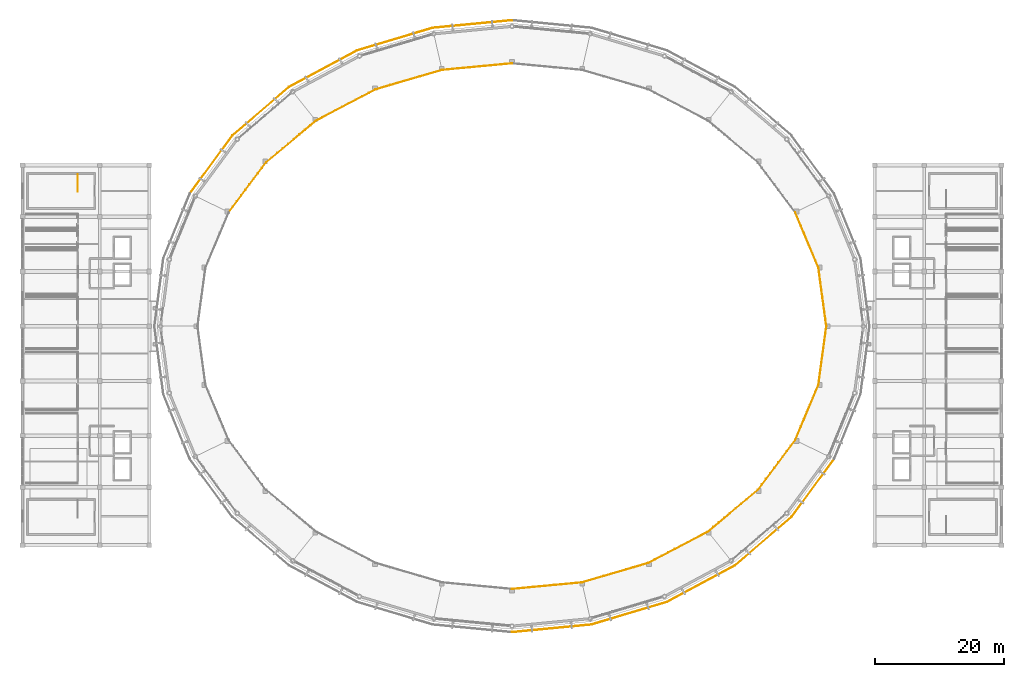
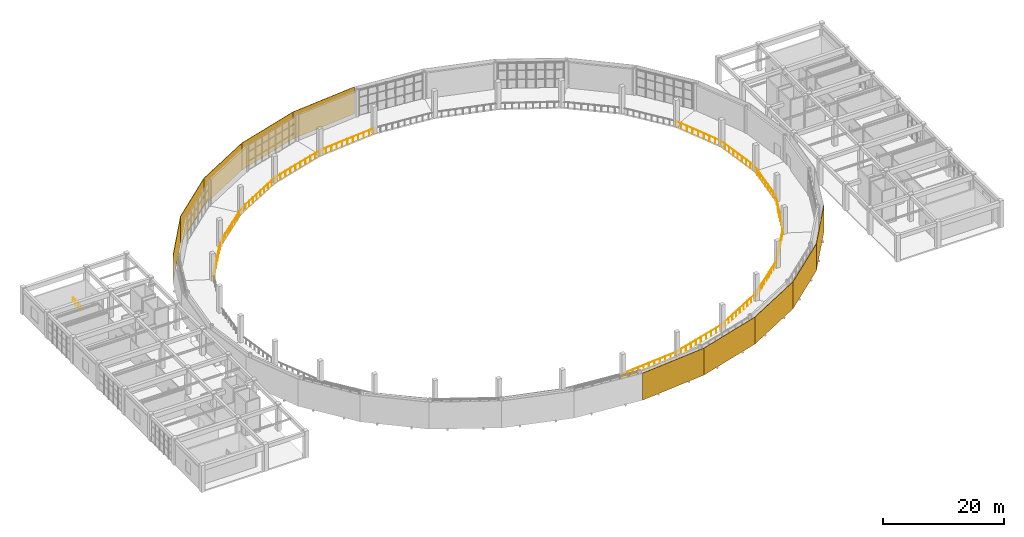
# One storey, part 39 of 40: 15 railings, 10 coverings.
"""IFC4 building model written with IfcOpenShell, lengths in metres."""

from ifc_helpers import new_model, si_unit, direction, frame, frame_2d, origin, origin_2d, place, context, subcontext, project, spatial, rectangle, circle, extrude, material, layer, layer_set, type_object, element, save


model = new_model("IFC4")

# Units and contexts
model_context = context("Model", 3, precision=1e-05, world=origin(), true_north=direction((0.0, 1.0)))
body_context = subcontext(model_context, "Body", "Model", "MODEL_VIEW")
ifc_project = project(units=[si_unit("LENGTHUNIT", "METRE"), si_unit("AREAUNIT", "SQUARE_METRE"), si_unit("VOLUMEUNIT", "CUBIC_METRE"), si_unit("PLANEANGLEUNIT", "RADIAN"), si_unit("MASSUNIT", "GRAM", prefix="KILO")], contexts=[model_context])

# Site, building, storey
site_placement = place(None, origin())
site = spatial("IfcSite", under=ifc_project, at=site_placement, CompositionType="ELEMENT")
building_placement = place(site_placement, origin())
building = spatial("IfcBuilding", under=site, at=building_placement, Name="Cuetzalor Civic Arena", CompositionType="ELEMENT")
storey_placement = place(building_placement, frame((0.0, 0.0, 26.39990234375)))
storey = spatial("IfcBuildingStorey", under=building, at=storey_placement, Name="L05", CompositionType="ELEMENT", Elevation=26.39990234375)

# Railings
ifc_material_1 = material(Name="Reseda-green Steel S355 and laminated glass guard", Category="steel")
railing_type_1 = type_object("IfcRailingType", Name="BowlSightlineGuard_1100", PredefinedType="BALUSTRADE", material=ifc_material_1)
railing_1_placement = place(storey_placement, frame((48.800048828125, 0.0, 0.0)))
element("IfcRailing", 1, at=railing_1_placement, inside=storey, type_object=railing_type_1, Name="Commentary Catwalk Rim Balustrade S01", PredefinedType="BALUSTRADE", context=body_context, shape_type="SweptSolid", body=[
    extrude(circle(Radius=0.02392578125, at=origin_2d()), frame((0.0, 0.0, 1.076171875), z_axis=(-0.133570575466, 0.991039303645, 0.0), x_axis=(-0.991039303645, -0.133570575466, 0.0)), (0.0, 0.0, 1.0), 9.160888671875),
    extrude(circle(Radius=0.02099609375, at=origin_2d()), origin(), (0.0, 0.0, 1.0), 1.052001953125),
    extrude(circle(Radius=0.02099609375, at=origin_2d()), frame((-0.15283203125, 1.134765625, 0.0)), (0.0, 0.0, 1.0), 1.052001953125),
    extrude(circle(Radius=0.02099609375, at=origin_2d()), frame((-0.305908203125, 2.269775390625, 0.0)), (0.0, 0.0, 1.0), 1.052001953125),
    extrude(circle(Radius=0.02099609375, at=origin_2d()), frame((-0.458984375, 3.404541015625, 0.0)), (0.0, 0.0, 1.0), 1.052001953125),
    extrude(circle(Radius=0.02099609375, at=origin_2d()), frame((-0.61181640625, 4.53955078125, 0.0)), (0.0, 0.0, 1.0), 1.052001953125),
    extrude(circle(Radius=0.02099609375, at=origin_2d()), frame((-0.7646484375, 5.67431640625, 0.0)), (0.0, 0.0, 1.0), 1.052001953125),
    extrude(circle(Radius=0.02099609375, at=origin_2d()), frame((-0.917724609375, 6.80908203125, 0.0)), (0.0, 0.0, 1.0), 1.052001953125),
    extrude(circle(Radius=0.02099609375, at=origin_2d()), frame((-1.07080078125, 7.944091796875, 0.0)), (0.0, 0.0, 1.0), 1.052001953125),
    extrude(circle(Radius=0.02099609375, at=origin_2d()), frame((-1.2236328125, 9.078857421875, 0.0)), (0.0, 0.0, 1.0), 1.052001953125),
])
railing_2_placement = place(storey_placement, frame((47.576416015625, 9.078857421875, 0.0)))
element("IfcRailing", 2, at=railing_2_placement, inside=storey, type_object=railing_type_1, Name="Commentary Catwalk Rim Balustrade S02", PredefinedType="BALUSTRADE", context=body_context, shape_type="SweptSolid", body=[
    extrude(circle(Radius=0.02392578125, at=origin_2d()), frame((0.0, 0.0, 1.076171875), z_axis=(-0.386072454688, 0.92246846002, 0.0), x_axis=(-0.92246846002, -0.386072454688, 0.0)), (0.0, 0.0, 1.0), 9.348388671875),
    extrude(circle(Radius=0.02099609375, at=origin_2d()), origin(), (0.0, 0.0, 1.0), 1.052001953125),
    extrude(circle(Radius=0.02099609375, at=origin_2d()), frame((-0.451171875, 1.077880859375, 0.0)), (0.0, 0.0, 1.0), 1.052001953125),
    extrude(circle(Radius=0.02099609375, at=origin_2d()), frame((-0.90234375, 2.15576171875, 0.0)), (0.0, 0.0, 1.0), 1.052001953125),
    extrude(circle(Radius=0.02099609375, at=origin_2d()), frame((-1.353515625, 3.23388671875, 0.0)), (0.0, 0.0, 1.0), 1.052001953125),
    extrude(circle(Radius=0.02099609375, at=origin_2d()), frame((-1.8046875, 4.311767578125, 0.0)), (0.0, 0.0, 1.0), 1.052001953125),
    extrude(circle(Radius=0.02099609375, at=origin_2d()), frame((-2.255615234375, 5.3896484375, 0.0)), (0.0, 0.0, 1.0), 1.052001953125),
    extrude(circle(Radius=0.02099609375, at=origin_2d()), frame((-2.706787109375, 6.4677734375, 0.0)), (0.0, 0.0, 1.0), 1.052001953125),
    extrude(circle(Radius=0.02099609375, at=origin_2d()), frame((-3.157958984375, 7.545654296875, 0.0)), (0.0, 0.0, 1.0), 1.052001953125),
    extrude(circle(Radius=0.02099609375, at=origin_2d()), frame((-3.609130859375, 8.62353515625, 0.0)), (0.0, 0.0, 1.0), 1.052001953125),
])
railing_3_placement = place(storey_placement, frame((0.0, 40.800048828125, 0.0)))
element("IfcRailing", 3, at=railing_3_placement, inside=storey, type_object=railing_type_1, Name="Commentary Catwalk Rim Balustrade S08", PredefinedType="BALUSTRADE", context=body_context, shape_type="SweptSolid", body=[
    extrude(circle(Radius=0.02392578125, at=origin_2d()), frame((0.0, 0.0, 1.076171875), z_axis=(-0.995592131062, -0.093788637734, 0.0), x_axis=(0.093788637734, -0.995592131062, 0.0)), (0.0, 0.0, 1.0), 10.906982421875),
    extrude(circle(Radius=0.02099609375, at=origin_2d()), origin(), (0.0, 0.0, 1.0), 1.052001953125),
    extrude(circle(Radius=0.02099609375, at=origin_2d()), frame((-1.0859375, -0.102294921875, 0.0)), (0.0, 0.0, 1.0), 1.052001953125),
    extrude(circle(Radius=0.02099609375, at=origin_2d()), frame((-2.171875, -0.20458984375, 0.0)), (0.0, 0.0, 1.0), 1.052001953125),
    extrude(circle(Radius=0.02099609375, at=origin_2d()), frame((-3.257568359375, -0.306884765625, 0.0)), (0.0, 0.0, 1.0), 1.052001953125),
    extrude(circle(Radius=0.02099609375, at=origin_2d()), frame((-4.343505859375, -0.4091796875, 0.0)), (0.0, 0.0, 1.0), 1.052001953125),
    extrude(circle(Radius=0.02099609375, at=origin_2d()), frame((-5.429443359375, -0.511474609375, 0.0)), (0.0, 0.0, 1.0), 1.052001953125),
    extrude(circle(Radius=0.02099609375, at=origin_2d()), frame((-6.515380859375, -0.61376953125, 0.0)), (0.0, 0.0, 1.0), 1.052001953125),
    extrude(circle(Radius=0.02099609375, at=origin_2d()), frame((-7.601318359375, -0.716064453125, 0.0)), (0.0, 0.0, 1.0), 1.052001953125),
    extrude(circle(Radius=0.02099609375, at=origin_2d()), frame((-8.68701171875, -0.818359375, 0.0)), (0.0, 0.0, 1.0), 1.052001953125),
    extrude(circle(Radius=0.02099609375, at=origin_2d()), frame((-9.77294921875, -0.920654296875, 0.0)), (0.0, 0.0, 1.0), 1.052001953125),
    extrude(circle(Radius=0.02099609375, at=origin_2d()), frame((-10.85888671875, -1.02294921875, 0.0)), (0.0, 0.0, 1.0), 1.052001953125),
])
railing_4_placement = place(storey_placement, frame((-10.85888671875, 39.777099609375, 0.0)))
element("IfcRailing", 4, at=railing_4_placement, inside=storey, type_object=railing_type_1, Name="Commentary Catwalk Rim Balustrade S09", PredefinedType="BALUSTRADE", context=body_context, shape_type="SweptSolid", body=[
    extrude(circle(Radius=0.02392578125, at=origin_2d()), frame((0.0, 0.0, 1.076171875), z_axis=(-0.959771456816, -0.280782390263, 0.0), x_axis=(0.280782390263, -0.959771456816, 0.0)), (0.0, 0.0, 1.0), 10.7470703125),
    extrude(circle(Radius=0.02099609375, at=origin_2d()), origin(), (0.0, 0.0, 1.0), 1.052001953125),
    extrude(circle(Radius=0.02099609375, at=origin_2d()), frame((-1.14599609375, -0.335205078125, 0.0)), (0.0, 0.0, 1.0), 1.052001953125),
    extrude(circle(Radius=0.02099609375, at=origin_2d()), frame((-2.292236328125, -0.670654296875, 0.0)), (0.0, 0.0, 1.0), 1.052001953125),
    extrude(circle(Radius=0.02099609375, at=origin_2d()), frame((-3.438232421875, -1.005859375, 0.0)), (0.0, 0.0, 1.0), 1.052001953125),
    extrude(circle(Radius=0.02099609375, at=origin_2d()), frame((-4.584228515625, -1.341064453125, 0.0)), (0.0, 0.0, 1.0), 1.052001953125),
    extrude(circle(Radius=0.02099609375, at=origin_2d()), frame((-5.73046875, -1.676513671875, 0.0)), (0.0, 0.0, 1.0), 1.052001953125),
    extrude(circle(Radius=0.02099609375, at=origin_2d()), frame((-6.87646484375, -2.01171875, 0.0)), (0.0, 0.0, 1.0), 1.052001953125),
    extrude(circle(Radius=0.02099609375, at=origin_2d()), frame((-8.0224609375, -2.346923828125, 0.0)), (0.0, 0.0, 1.0), 1.052001953125),
    extrude(circle(Radius=0.02099609375, at=origin_2d()), frame((-9.168701171875, -2.682373046875, 0.0)), (0.0, 0.0, 1.0), 1.052001953125),
    extrude(circle(Radius=0.02099609375, at=origin_2d()), frame((-10.314697265625, -3.017578125, 0.0)), (0.0, 0.0, 1.0), 1.052001953125),
])
railing_5_placement = place(storey_placement, frame((-21.173583984375, 36.759521484375, 0.0)))
element("IfcRailing", 5, at=railing_5_placement, inside=storey, type_object=railing_type_1, Name="Commentary Catwalk Rim Balustrade S10", PredefinedType="BALUSTRADE", context=body_context, shape_type="SweptSolid", body=[
    extrude(circle(Radius=0.02392578125, at=origin_2d()), frame((0.0, 0.0, 1.076171875), z_axis=(-0.885272653708, -0.465072390705, 0.0), x_axis=(0.465072390705, -0.885272653708, 0.0)), (0.0, 0.0, 1.0), 10.451904296875),
    extrude(circle(Radius=0.02099609375, at=origin_2d()), origin(), (0.0, 0.0, 1.0), 1.052001953125),
    extrude(circle(Radius=0.02099609375, at=origin_2d()), frame((-1.028076171875, -0.5400390625, 0.0)), (0.0, 0.0, 1.0), 1.052001953125),
    extrude(circle(Radius=0.02099609375, at=origin_2d()), frame((-2.05615234375, -1.080078125, 0.0)), (0.0, 0.0, 1.0), 1.052001953125),
    extrude(circle(Radius=0.02099609375, at=origin_2d()), frame((-3.084228515625, -1.620361328125, 0.0)), (0.0, 0.0, 1.0), 1.052001953125),
    extrude(circle(Radius=0.02099609375, at=origin_2d()), frame((-4.1123046875, -2.160400390625, 0.0)), (0.0, 0.0, 1.0), 1.052001953125),
    extrude(circle(Radius=0.02099609375, at=origin_2d()), frame((-5.140380859375, -2.700439453125, 0.0)), (0.0, 0.0, 1.0), 1.052001953125),
    extrude(circle(Radius=0.02099609375, at=origin_2d()), frame((-6.16845703125, -3.240478515625, 0.0)), (0.0, 0.0, 1.0), 1.052001953125),
    extrude(circle(Radius=0.02099609375, at=origin_2d()), frame((-7.196533203125, -3.78076171875, 0.0)), (0.0, 0.0, 1.0), 1.052001953125),
    extrude(circle(Radius=0.02099609375, at=origin_2d()), frame((-8.224609375, -4.32080078125, 0.0)), (0.0, 0.0, 1.0), 1.052001953125),
    extrude(circle(Radius=0.02099609375, at=origin_2d()), frame((-9.252685546875, -4.86083984375, 0.0)), (0.0, 0.0, 1.0), 1.052001953125),
])
railing_6_placement = place(storey_placement, frame((-30.42626953125, 31.898681640625, 0.0)))
element("IfcRailing", 6, at=railing_6_placement, inside=storey, type_object=railing_type_1, Name="Commentary Catwalk Rim Balustrade S11", PredefinedType="BALUSTRADE", context=body_context, shape_type="SweptSolid", body=[
    extrude(circle(Radius=0.02392578125, at=origin_2d()), frame((0.0, 0.0, 1.076171875), z_axis=(-0.76719506294, -0.64141385657, 0.0), x_axis=(0.64141385657, -0.76719506294, 0.0)), (0.0, 0.0, 1.0), 10.07177734375),
    extrude(circle(Radius=0.02099609375, at=origin_2d()), origin(), (0.0, 0.0, 1.0), 1.052001953125),
    extrude(circle(Radius=0.02099609375, at=origin_2d()), frame((-0.858642578125, -0.7177734375, 0.0)), (0.0, 0.0, 1.0), 1.052001953125),
    extrude(circle(Radius=0.02099609375, at=origin_2d()), frame((-1.717041015625, -1.435546875, 0.0)), (0.0, 0.0, 1.0), 1.052001953125),
    extrude(circle(Radius=0.02099609375, at=origin_2d()), frame((-2.57568359375, -2.1533203125, 0.0)), (0.0, 0.0, 1.0), 1.052001953125),
    extrude(circle(Radius=0.02099609375, at=origin_2d()), frame((-3.434326171875, -2.87109375, 0.0)), (0.0, 0.0, 1.0), 1.052001953125),
    extrude(circle(Radius=0.02099609375, at=origin_2d()), frame((-4.292724609375, -3.589111328125, 0.0)), (0.0, 0.0, 1.0), 1.052001953125),
    extrude(circle(Radius=0.02099609375, at=origin_2d()), frame((-5.1513671875, -4.306884765625, 0.0)), (0.0, 0.0, 1.0), 1.052001953125),
    extrude(circle(Radius=0.02099609375, at=origin_2d()), frame((-6.010009765625, -5.024658203125, 0.0)), (0.0, 0.0, 1.0), 1.052001953125),
    extrude(circle(Radius=0.02099609375, at=origin_2d()), frame((-6.868408203125, -5.742431640625, 0.0)), (0.0, 0.0, 1.0), 1.052001953125),
    extrude(circle(Radius=0.02099609375, at=origin_2d()), frame((-7.72705078125, -6.460205078125, 0.0)), (0.0, 0.0, 1.0), 1.052001953125),
])
railing_7_placement = place(storey_placement, frame((-38.1533203125, 25.4384765625, 0.0)))
element("IfcRailing", 7, at=railing_7_placement, inside=storey, type_object=railing_type_1, Name="Commentary Catwalk Rim Balustrade S12", PredefinedType="BALUSTRADE", context=body_context, shape_type="SweptSolid", body=[
    extrude(circle(Radius=0.02392578125, at=origin_2d()), frame((0.0, 0.0, 1.076171875), z_axis=(-0.600786832666, -0.799409270458, 0.0), x_axis=(0.799409270458, -0.600786832666, 0.0)), (0.0, 0.0, 1.0), 9.67724609375),
    extrude(circle(Radius=0.02099609375, at=origin_2d()), origin(), (0.0, 0.0, 1.0), 1.052001953125),
    extrude(circle(Radius=0.02099609375, at=origin_2d()), frame((-0.64599609375, -0.859619140625, 0.0)), (0.0, 0.0, 1.0), 1.052001953125),
    extrude(circle(Radius=0.02099609375, at=origin_2d()), frame((-1.2919921875, -1.71923828125, 0.0)), (0.0, 0.0, 1.0), 1.052001953125),
    extrude(circle(Radius=0.02099609375, at=origin_2d()), frame((-1.93798828125, -2.57861328125, 0.0)), (0.0, 0.0, 1.0), 1.052001953125),
    extrude(circle(Radius=0.02099609375, at=origin_2d()), frame((-2.583984375, -3.438232421875, 0.0)), (0.0, 0.0, 1.0), 1.052001953125),
    extrude(circle(Radius=0.02099609375, at=origin_2d()), frame((-3.22998046875, -4.2978515625, 0.0)), (0.0, 0.0, 1.0), 1.052001953125),
    extrude(circle(Radius=0.02099609375, at=origin_2d()), frame((-3.8759765625, -5.157470703125, 0.0)), (0.0, 0.0, 1.0), 1.052001953125),
    extrude(circle(Radius=0.02099609375, at=origin_2d()), frame((-4.52197265625, -6.016845703125, 0.0)), (0.0, 0.0, 1.0), 1.052001953125),
    extrude(circle(Radius=0.02099609375, at=origin_2d()), frame((-5.16796875, -6.87646484375, 0.0)), (0.0, 0.0, 1.0), 1.052001953125),
    extrude(circle(Radius=0.02099609375, at=origin_2d()), frame((-5.81396484375, -7.736083984375, 0.0)), (0.0, 0.0, 1.0), 1.052001953125),
])
railing_8_placement = place(storey_placement, frame((0.0, -40.800048828125, 0.0)))
element("IfcRailing", 8, at=railing_8_placement, inside=storey, type_object=railing_type_1, Name="Commentary Catwalk Rim Balustrade S22", PredefinedType="BALUSTRADE", context=body_context, shape_type="SweptSolid", body=[
    extrude(circle(Radius=0.02392578125, at=origin_2d()), frame((0.0, 0.0, 1.076171875), z_axis=(0.995592131062, 0.093788637734, 0.0), x_axis=(-0.093788637734, 0.995592131062, 0.0)), (0.0, 0.0, 1.0), 10.906982421875),
    extrude(circle(Radius=0.02099609375, at=origin_2d()), origin(), (0.0, 0.0, 1.0), 1.052001953125),
    extrude(circle(Radius=0.02099609375, at=origin_2d()), frame((1.0859375, 0.102294921875, 0.0)), (0.0, 0.0, 1.0), 1.052001953125),
    extrude(circle(Radius=0.02099609375, at=origin_2d()), frame((2.171875, 0.20458984375, 0.0)), (0.0, 0.0, 1.0), 1.052001953125),
    extrude(circle(Radius=0.02099609375, at=origin_2d()), frame((3.257568359375, 0.306884765625, 0.0)), (0.0, 0.0, 1.0), 1.052001953125),
    extrude(circle(Radius=0.02099609375, at=origin_2d()), frame((4.343505859375, 0.4091796875, 0.0)), (0.0, 0.0, 1.0), 1.052001953125),
    extrude(circle(Radius=0.02099609375, at=origin_2d()), frame((5.429443359375, 0.511474609375, 0.0)), (0.0, 0.0, 1.0), 1.052001953125),
    extrude(circle(Radius=0.02099609375, at=origin_2d()), frame((6.515380859375, 0.61376953125, 0.0)), (0.0, 0.0, 1.0), 1.052001953125),
    extrude(circle(Radius=0.02099609375, at=origin_2d()), frame((7.601318359375, 0.716064453125, 0.0)), (0.0, 0.0, 1.0), 1.052001953125),
    extrude(circle(Radius=0.02099609375, at=origin_2d()), frame((8.68701171875, 0.818359375, 0.0)), (0.0, 0.0, 1.0), 1.052001953125),
    extrude(circle(Radius=0.02099609375, at=origin_2d()), frame((9.77294921875, 0.920654296875, 0.0)), (0.0, 0.0, 1.0), 1.052001953125),
    extrude(circle(Radius=0.02099609375, at=origin_2d()), frame((10.85888671875, 1.02294921875, 0.0)), (0.0, 0.0, 1.0), 1.052001953125),
])
railing_9_placement = place(storey_placement, frame((10.85888671875, -39.777099609375, 0.0)))
element("IfcRailing", 9, at=railing_9_placement, inside=storey, type_object=railing_type_1, Name="Commentary Catwalk Rim Balustrade S23", PredefinedType="BALUSTRADE", context=body_context, shape_type="SweptSolid", body=[
    extrude(circle(Radius=0.02392578125, at=origin_2d()), frame((0.0, 0.0, 1.076171875), z_axis=(0.959771456816, 0.280782390263, 0.0), x_axis=(-0.280782390263, 0.959771456816, 0.0)), (0.0, 0.0, 1.0), 10.7470703125),
    extrude(circle(Radius=0.02099609375, at=origin_2d()), origin(), (0.0, 0.0, 1.0), 1.052001953125),
    extrude(circle(Radius=0.02099609375, at=origin_2d()), frame((1.14599609375, 0.335205078125, 0.0)), (0.0, 0.0, 1.0), 1.052001953125),
    extrude(circle(Radius=0.02099609375, at=origin_2d()), frame((2.292236328125, 0.670654296875, 0.0)), (0.0, 0.0, 1.0), 1.052001953125),
    extrude(circle(Radius=0.02099609375, at=origin_2d()), frame((3.438232421875, 1.005859375, 0.0)), (0.0, 0.0, 1.0), 1.052001953125),
    extrude(circle(Radius=0.02099609375, at=origin_2d()), frame((4.584228515625, 1.341064453125, 0.0)), (0.0, 0.0, 1.0), 1.052001953125),
    extrude(circle(Radius=0.02099609375, at=origin_2d()), frame((5.73046875, 1.676513671875, 0.0)), (0.0, 0.0, 1.0), 1.052001953125),
    extrude(circle(Radius=0.02099609375, at=origin_2d()), frame((6.87646484375, 2.01171875, 0.0)), (0.0, 0.0, 1.0), 1.052001953125),
    extrude(circle(Radius=0.02099609375, at=origin_2d()), frame((8.0224609375, 2.346923828125, 0.0)), (0.0, 0.0, 1.0), 1.052001953125),
    extrude(circle(Radius=0.02099609375, at=origin_2d()), frame((9.168701171875, 2.682373046875, 0.0)), (0.0, 0.0, 1.0), 1.052001953125),
    extrude(circle(Radius=0.02099609375, at=origin_2d()), frame((10.314697265625, 3.017578125, 0.0)), (0.0, 0.0, 1.0), 1.052001953125),
])
railing_10_placement = place(storey_placement, frame((21.173583984375, -36.759521484375, 0.0)))
element("IfcRailing", 10, at=railing_10_placement, inside=storey, type_object=railing_type_1, Name="Commentary Catwalk Rim Balustrade S24", PredefinedType="BALUSTRADE", context=body_context, shape_type="SweptSolid", body=[
    extrude(circle(Radius=0.02392578125, at=origin_2d()), frame((0.0, 0.0, 1.076171875), z_axis=(0.885272653708, 0.465072390705, 0.0), x_axis=(-0.465072390705, 0.885272653708, 0.0)), (0.0, 0.0, 1.0), 10.451904296875),
    extrude(circle(Radius=0.02099609375, at=origin_2d()), origin(), (0.0, 0.0, 1.0), 1.052001953125),
    extrude(circle(Radius=0.02099609375, at=origin_2d()), frame((1.028076171875, 0.5400390625, 0.0)), (0.0, 0.0, 1.0), 1.052001953125),
    extrude(circle(Radius=0.02099609375, at=origin_2d()), frame((2.05615234375, 1.080078125, 0.0)), (0.0, 0.0, 1.0), 1.052001953125),
    extrude(circle(Radius=0.02099609375, at=origin_2d()), frame((3.084228515625, 1.620361328125, 0.0)), (0.0, 0.0, 1.0), 1.052001953125),
    extrude(circle(Radius=0.02099609375, at=origin_2d()), frame((4.1123046875, 2.160400390625, 0.0)), (0.0, 0.0, 1.0), 1.052001953125),
    extrude(circle(Radius=0.02099609375, at=origin_2d()), frame((5.140380859375, 2.700439453125, 0.0)), (0.0, 0.0, 1.0), 1.052001953125),
    extrude(circle(Radius=0.02099609375, at=origin_2d()), frame((6.16845703125, 3.240478515625, 0.0)), (0.0, 0.0, 1.0), 1.052001953125),
    extrude(circle(Radius=0.02099609375, at=origin_2d()), frame((7.196533203125, 3.78076171875, 0.0)), (0.0, 0.0, 1.0), 1.052001953125),
    extrude(circle(Radius=0.02099609375, at=origin_2d()), frame((8.224609375, 4.32080078125, 0.0)), (0.0, 0.0, 1.0), 1.052001953125),
    extrude(circle(Radius=0.02099609375, at=origin_2d()), frame((9.252685546875, 4.86083984375, 0.0)), (0.0, 0.0, 1.0), 1.052001953125),
])
railing_11_placement = place(storey_placement, frame((30.42626953125, -31.898681640625, 0.0)))
element("IfcRailing", 11, at=railing_11_placement, inside=storey, type_object=railing_type_1, Name="Commentary Catwalk Rim Balustrade S25", PredefinedType="BALUSTRADE", context=body_context, shape_type="SweptSolid", body=[
    extrude(circle(Radius=0.02392578125, at=origin_2d()), frame((0.0, 0.0, 1.076171875), z_axis=(0.76719506294, 0.64141385657, 0.0), x_axis=(-0.64141385657, 0.76719506294, 0.0)), (0.0, 0.0, 1.0), 10.07177734375),
    extrude(circle(Radius=0.02099609375, at=origin_2d()), origin(), (0.0, 0.0, 1.0), 1.052001953125),
    extrude(circle(Radius=0.02099609375, at=origin_2d()), frame((0.858642578125, 0.7177734375, 0.0)), (0.0, 0.0, 1.0), 1.052001953125),
    extrude(circle(Radius=0.02099609375, at=origin_2d()), frame((1.717041015625, 1.435546875, 0.0)), (0.0, 0.0, 1.0), 1.052001953125),
    extrude(circle(Radius=0.02099609375, at=origin_2d()), frame((2.57568359375, 2.1533203125, 0.0)), (0.0, 0.0, 1.0), 1.052001953125),
    extrude(circle(Radius=0.02099609375, at=origin_2d()), frame((3.434326171875, 2.87109375, 0.0)), (0.0, 0.0, 1.0), 1.052001953125),
    extrude(circle(Radius=0.02099609375, at=origin_2d()), frame((4.292724609375, 3.589111328125, 0.0)), (0.0, 0.0, 1.0), 1.052001953125),
    extrude(circle(Radius=0.02099609375, at=origin_2d()), frame((5.1513671875, 4.306884765625, 0.0)), (0.0, 0.0, 1.0), 1.052001953125),
    extrude(circle(Radius=0.02099609375, at=origin_2d()), frame((6.010009765625, 5.024658203125, 0.0)), (0.0, 0.0, 1.0), 1.052001953125),
    extrude(circle(Radius=0.02099609375, at=origin_2d()), frame((6.868408203125, 5.742431640625, 0.0)), (0.0, 0.0, 1.0), 1.052001953125),
    extrude(circle(Radius=0.02099609375, at=origin_2d()), frame((7.72705078125, 6.460205078125, 0.0)), (0.0, 0.0, 1.0), 1.052001953125),
])
railing_12_placement = place(storey_placement, frame((38.1533203125, -25.4384765625, 0.0)))
element("IfcRailing", 12, at=railing_12_placement, inside=storey, type_object=railing_type_1, Name="Commentary Catwalk Rim Balustrade S26", PredefinedType="BALUSTRADE", context=body_context, shape_type="SweptSolid", body=[
    extrude(circle(Radius=0.02392578125, at=origin_2d()), frame((0.0, 0.0, 1.076171875), z_axis=(0.600786832666, 0.799409270458, 0.0), x_axis=(-0.799409270458, 0.600786832666, 0.0)), (0.0, 0.0, 1.0), 9.67724609375),
    extrude(circle(Radius=0.02099609375, at=origin_2d()), origin(), (0.0, 0.0, 1.0), 1.052001953125),
    extrude(circle(Radius=0.02099609375, at=origin_2d()), frame((0.64599609375, 0.859619140625, 0.0)), (0.0, 0.0, 1.0), 1.052001953125),
    extrude(circle(Radius=0.02099609375, at=origin_2d()), frame((1.2919921875, 1.71923828125, 0.0)), (0.0, 0.0, 1.0), 1.052001953125),
    extrude(circle(Radius=0.02099609375, at=origin_2d()), frame((1.93798828125, 2.57861328125, 0.0)), (0.0, 0.0, 1.0), 1.052001953125),
    extrude(circle(Radius=0.02099609375, at=origin_2d()), frame((2.583984375, 3.438232421875, 0.0)), (0.0, 0.0, 1.0), 1.052001953125),
    extrude(circle(Radius=0.02099609375, at=origin_2d()), frame((3.22998046875, 4.2978515625, 0.0)), (0.0, 0.0, 1.0), 1.052001953125),
    extrude(circle(Radius=0.02099609375, at=origin_2d()), frame((3.8759765625, 5.157470703125, 0.0)), (0.0, 0.0, 1.0), 1.052001953125),
    extrude(circle(Radius=0.02099609375, at=origin_2d()), frame((4.52197265625, 6.016845703125, 0.0)), (0.0, 0.0, 1.0), 1.052001953125),
    extrude(circle(Radius=0.02099609375, at=origin_2d()), frame((5.16796875, 6.87646484375, 0.0)), (0.0, 0.0, 1.0), 1.052001953125),
    extrude(circle(Radius=0.02099609375, at=origin_2d()), frame((5.81396484375, 7.736083984375, 0.0)), (0.0, 0.0, 1.0), 1.052001953125),
])
railing_13_placement = place(storey_placement, frame((43.96728515625, -17.702392578125, 0.0)))
element("IfcRailing", 13, at=railing_13_placement, inside=storey, type_object=railing_type_1, Name="Commentary Catwalk Rim Balustrade S27", PredefinedType="BALUSTRADE", context=body_context, shape_type="SweptSolid", body=[
    extrude(circle(Radius=0.02392578125, at=origin_2d()), frame((0.0, 0.0, 1.076171875), z_axis=(0.386072454688, 0.92246846002, 0.0), x_axis=(-0.92246846002, 0.386072454688, 0.0)), (0.0, 0.0, 1.0), 9.348388671875),
    extrude(circle(Radius=0.02099609375, at=origin_2d()), origin(), (0.0, 0.0, 1.0), 1.052001953125),
    extrude(circle(Radius=0.02099609375, at=origin_2d()), frame((0.451171875, 1.077880859375, 0.0)), (0.0, 0.0, 1.0), 1.052001953125),
    extrude(circle(Radius=0.02099609375, at=origin_2d()), frame((0.90234375, 2.15576171875, 0.0)), (0.0, 0.0, 1.0), 1.052001953125),
    extrude(circle(Radius=0.02099609375, at=origin_2d()), frame((1.353515625, 3.23388671875, 0.0)), (0.0, 0.0, 1.0), 1.052001953125),
    extrude(circle(Radius=0.02099609375, at=origin_2d()), frame((1.8046875, 4.311767578125, 0.0)), (0.0, 0.0, 1.0), 1.052001953125),
    extrude(circle(Radius=0.02099609375, at=origin_2d()), frame((2.255615234375, 5.3896484375, 0.0)), (0.0, 0.0, 1.0), 1.052001953125),
    extrude(circle(Radius=0.02099609375, at=origin_2d()), frame((2.706787109375, 6.4677734375, 0.0)), (0.0, 0.0, 1.0), 1.052001953125),
    extrude(circle(Radius=0.02099609375, at=origin_2d()), frame((3.157958984375, 7.545654296875, 0.0)), (0.0, 0.0, 1.0), 1.052001953125),
    extrude(circle(Radius=0.02099609375, at=origin_2d()), frame((3.609130859375, 8.62353515625, 0.0)), (0.0, 0.0, 1.0), 1.052001953125),
])
railing_14_placement = place(storey_placement, frame((47.576416015625, -9.078857421875, 0.0)))
element("IfcRailing", 14, at=railing_14_placement, inside=storey, type_object=railing_type_1, Name="Commentary Catwalk Rim Balustrade S28", PredefinedType="BALUSTRADE", context=body_context, shape_type="SweptSolid", body=[
    extrude(circle(Radius=0.02392578125, at=origin_2d()), frame((0.0, 0.0, 1.076171875), z_axis=(0.133570575466, 0.991039303645, 0.0), x_axis=(-0.991039303645, 0.133570575466, 0.0)), (0.0, 0.0, 1.0), 9.160888671875),
    extrude(circle(Radius=0.02099609375, at=origin_2d()), origin(), (0.0, 0.0, 1.0), 1.052001953125),
    extrude(circle(Radius=0.02099609375, at=origin_2d()), frame((0.15283203125, 1.134765625, 0.0)), (0.0, 0.0, 1.0), 1.052001953125),
    extrude(circle(Radius=0.02099609375, at=origin_2d()), frame((0.305908203125, 2.269775390625, 0.0)), (0.0, 0.0, 1.0), 1.052001953125),
    extrude(circle(Radius=0.02099609375, at=origin_2d()), frame((0.458984375, 3.404541015625, 0.0)), (0.0, 0.0, 1.0), 1.052001953125),
    extrude(circle(Radius=0.02099609375, at=origin_2d()), frame((0.61181640625, 4.53955078125, 0.0)), (0.0, 0.0, 1.0), 1.052001953125),
    extrude(circle(Radius=0.02099609375, at=origin_2d()), frame((0.7646484375, 5.67431640625, 0.0)), (0.0, 0.0, 1.0), 1.052001953125),
    extrude(circle(Radius=0.02099609375, at=origin_2d()), frame((0.917724609375, 6.80908203125, 0.0)), (0.0, 0.0, 1.0), 1.052001953125),
    extrude(circle(Radius=0.02099609375, at=origin_2d()), frame((1.07080078125, 7.944091796875, 0.0)), (0.0, 0.0, 1.0), 1.052001953125),
    extrude(circle(Radius=0.02099609375, at=origin_2d()), frame((1.2236328125, 9.078857421875, 0.0)), (0.0, 0.0, 1.0), 1.052001953125),
])
ifc_material_2 = material(Name="Reseda-green architectural Steel S355 balustrade", Category="steel")
railing_type_2 = type_object("IfcRailingType", Name="InteriorVoidBalustrade_1100", PredefinedType="BALUSTRADE", material=ifc_material_2)
railing_15_placement = place(storey_placement, frame((-67.39990234375, 23.60009765625, 0.0)))
element("IfcRailing", 15, at=railing_15_placement, inside=storey, type_object=railing_type_2, Name="L05 ST-17 top well guard 1", PredefinedType="BALUSTRADE", context=body_context, shape_type="SweptSolid", body=[
    extrude(circle(Radius=0.02392578125, at=origin_2d()), frame((0.0, 0.0, 1.0810546875), z_axis=(0.0, -1.0, 0.0), x_axis=(1.0, 0.0, 0.0)), (0.0, 0.0, 1.0), 2.7001953125),
    extrude(circle(Radius=0.02099609375, at=origin_2d()), origin(), (0.0, 0.0, 1.0), 1.056884765625),
    extrude(circle(Radius=0.02099609375, at=origin_2d()), frame((0.0, -0.900146484375, 0.0)), (0.0, 0.0, 1.0), 1.056884765625),
    extrude(circle(Radius=0.02099609375, at=origin_2d()), frame((0.0, -1.800048828125, 0.0)), (0.0, 0.0, 1.0), 1.056884765625),
    extrude(circle(Radius=0.02099609375, at=origin_2d()), frame((0.0, -2.7001953125, 0.0)), (0.0, 0.0, 1.0), 1.056884765625),
])

# Coverings
ifc_material_3 = material(Name="Terracotta-red perforated anodised aluminium panel", Category="masonry")
ifc_layer = layer(ifc_material_3, 0.080078125)
ifc_layer_set = layer_set([ifc_layer], Name="Terracotta-red perforated anodised aluminium panel")
covering_type = type_object("IfcCoveringType", Name="TerracottaPerforatedScreenPanel", PredefinedType="CLADDING", material=ifc_layer_set)
covering_1_placement = place(storey_placement, frame((-12.349853515625, 46.30908203125, -0.139892578125), z_axis=(0.0, 0.0, 1.0), x_axis=(0.995382637025, 0.095986488157, 0.0)))
element("IfcCovering", 16, at=covering_1_placement, inside=storey, type_object=covering_type, Name="Terracotta Perforated Drum Screen L05-S08", PredefinedType="CLADDING", context=body_context, shape_type="SweptSolid", body=[
    extrude(rectangle(XDim=12.4072265625, YDim=0.080078125, at=frame_2d((6.20361328125, 0.0))), origin(), (0.0, 0.0, 1.0), 5.419921875),
])
covering_2_placement = place(storey_placement, frame((-24.08056640625, 42.7958984375, -0.139892578125), z_axis=(0.0, 0.0, 1.0), x_axis=(0.957961714935, 0.286896066056, 0.0)))
element("IfcCovering", 17, at=covering_2_placement, inside=storey, type_object=covering_type, Name="Terracotta Perforated Drum Screen L05-S09", PredefinedType="CLADDING", context=body_context, shape_type="SweptSolid", body=[
    extrude(rectangle(XDim=12.24560546875, YDim=0.080078125, at=frame_2d((6.122802734375, 0.0))), origin(), (0.0, 0.0, 1.0), 5.419921875),
])
covering_3_placement = place(storey_placement, frame((-34.603759765625, 37.136962890625, -0.139892578125), z_axis=(0.0, 0.0, 1.0), x_axis=(0.880729476331, 0.473619667584, 0.0)))
element("IfcCovering", 18, at=covering_3_placement, inside=storey, type_object=covering_type, Name="Terracotta Perforated Drum Screen L05-S10", PredefinedType="CLADDING", context=body_context, shape_type="SweptSolid", body=[
    extrude(rectangle(XDim=11.9482421875, YDim=0.080078125, at=frame_2d((5.97412109375, 0.0))), origin(), (0.0, 0.0, 1.0), 5.419921875),
])
covering_4_placement = place(storey_placement, frame((-43.3916015625, 29.61572265625, -0.139892578125), z_axis=(0.0, 0.0, 1.0), x_axis=(0.759734649699, 0.650233236652, 0.0)))
element("IfcCovering", 19, at=covering_4_placement, inside=storey, type_object=covering_type, Name="Terracotta Perforated Drum Screen L05-S11", PredefinedType="CLADDING", context=body_context, shape_type="SweptSolid", body=[
    extrude(rectangle(XDim=11.56689453125, YDim=0.080078125, at=frame_2d((5.783447265625, 0.0))), origin(), (0.0, 0.0, 1.0), 5.419921875),
])
covering_5_placement = place(storey_placement, frame((-50.00390625, 20.609619140625, -0.139892578125), z_axis=(0.0, 0.0, 1.0), x_axis=(0.591819224601, 0.806070719846, 0.0)))
element("IfcCovering", 20, at=covering_5_placement, inside=storey, type_object=covering_type, Name="Terracotta Perforated Drum Screen L05-S12", PredefinedType="CLADDING", context=body_context, shape_type="SweptSolid", body=[
    extrude(rectangle(XDim=11.1728515625, YDim=0.080078125, at=frame_2d((5.58642578125, 0.0))), origin(), (0.0, 0.0, 1.0), 5.419921875),
])
covering_6_placement = place(storey_placement, frame((12.349853515625, -46.30908203125, -0.139892578125), z_axis=(0.0, 0.0, 1.0), x_axis=(-0.995382637025, -0.095986488157, 0.0)))
element("IfcCovering", 21, at=covering_6_placement, inside=storey, type_object=covering_type, Name="Terracotta Perforated Drum Screen L05-S22", PredefinedType="CLADDING", context=body_context, shape_type="SweptSolid", body=[
    extrude(rectangle(XDim=12.4072265625, YDim=0.080078125, at=frame_2d((6.20361328125, 0.0))), origin(), (0.0, 0.0, 1.0), 5.419921875),
])
covering_7_placement = place(storey_placement, frame((24.08056640625, -42.7958984375, -0.139892578125), z_axis=(0.0, 0.0, 1.0), x_axis=(-0.957961714935, -0.286896066056, 0.0)))
element("IfcCovering", 22, at=covering_7_placement, inside=storey, type_object=covering_type, Name="Terracotta Perforated Drum Screen L05-S23", PredefinedType="CLADDING", context=body_context, shape_type="SweptSolid", body=[
    extrude(rectangle(XDim=12.24560546875, YDim=0.080078125, at=frame_2d((6.122802734375, 0.0))), origin(), (0.0, 0.0, 1.0), 5.419921875),
])
covering_8_placement = place(storey_placement, frame((34.603759765625, -37.136962890625, -0.139892578125), z_axis=(0.0, 0.0, 1.0), x_axis=(-0.880729476331, -0.473619667584, 0.0)))
element("IfcCovering", 23, at=covering_8_placement, inside=storey, type_object=covering_type, Name="Terracotta Perforated Drum Screen L05-S24", PredefinedType="CLADDING", context=body_context, shape_type="SweptSolid", body=[
    extrude(rectangle(XDim=11.9482421875, YDim=0.080078125, at=frame_2d((5.97412109375, 0.0))), origin(), (0.0, 0.0, 1.0), 5.419921875),
])
covering_9_placement = place(storey_placement, frame((43.3916015625, -29.61572265625, -0.139892578125), z_axis=(0.0, 0.0, 1.0), x_axis=(-0.759734649699, -0.650233236652, 0.0)))
element("IfcCovering", 24, at=covering_9_placement, inside=storey, type_object=covering_type, Name="Terracotta Perforated Drum Screen L05-S25", PredefinedType="CLADDING", context=body_context, shape_type="SweptSolid", body=[
    extrude(rectangle(XDim=11.56689453125, YDim=0.080078125, at=frame_2d((5.783447265625, 0.0))), origin(), (0.0, 0.0, 1.0), 5.419921875),
])
covering_10_placement = place(storey_placement, frame((50.00390625, -20.609619140625, -0.139892578125), z_axis=(0.0, 0.0, 1.0), x_axis=(-0.591819224601, -0.806070719846, 0.0)))
element("IfcCovering", 25, at=covering_10_placement, inside=storey, type_object=covering_type, Name="Terracotta Perforated Drum Screen L05-S26", PredefinedType="CLADDING", context=body_context, shape_type="SweptSolid", body=[
    extrude(rectangle(XDim=11.1728515625, YDim=0.080078125, at=frame_2d((5.58642578125, 0.0))), origin(), (0.0, 0.0, 1.0), 5.419921875),
])

save(model, "model.ifc")
